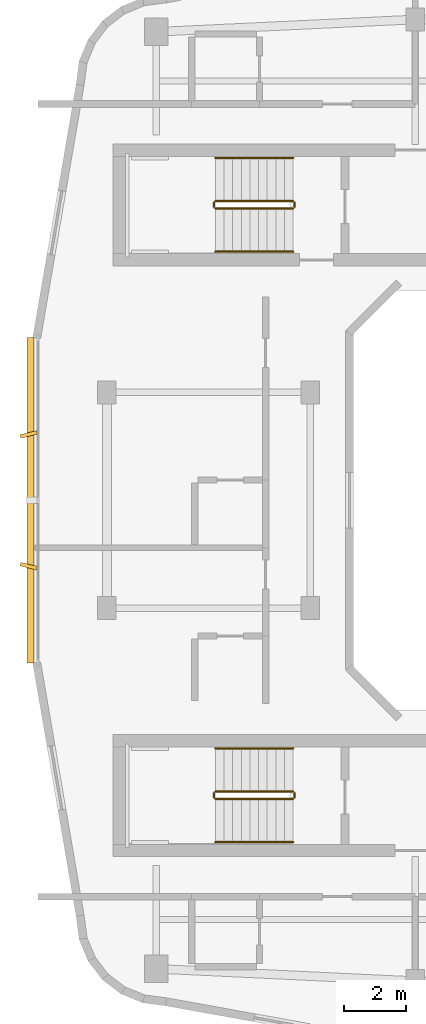
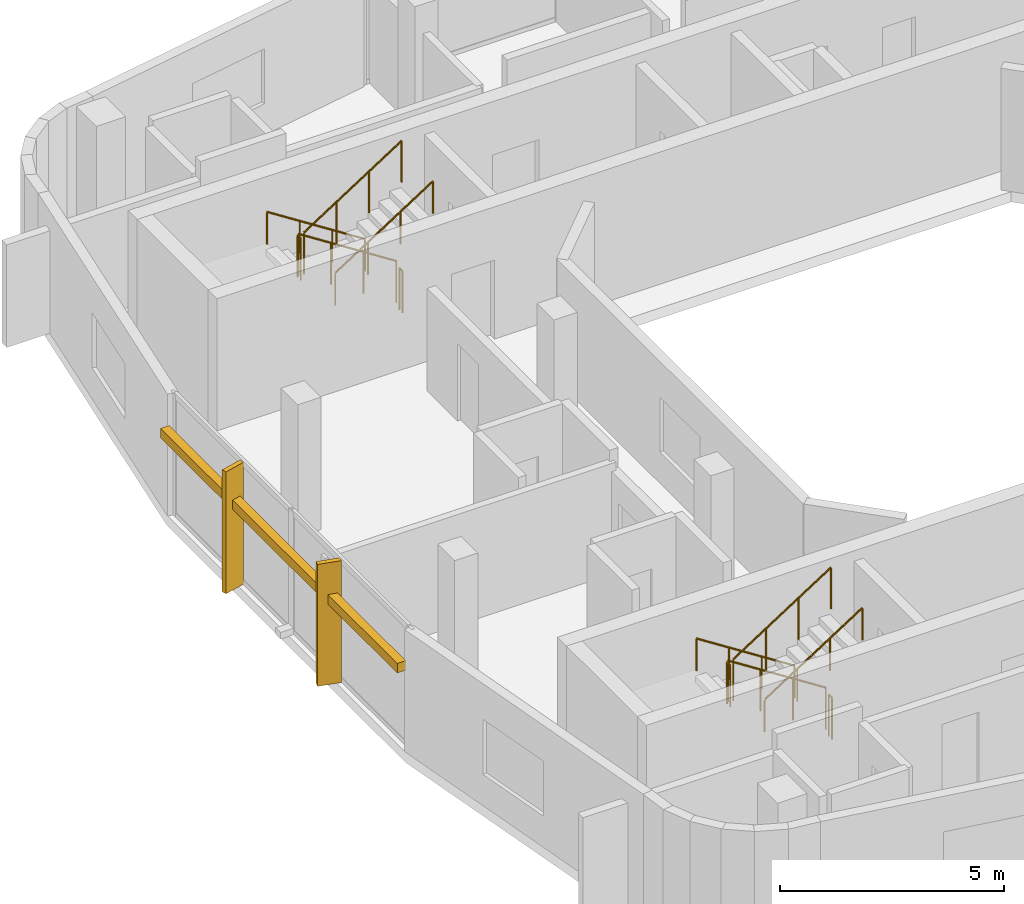
# One storey, part 7 of 8: 12 railings, 3 shading devices.
"""IFC4 building model written with IfcOpenShell, lengths in metres."""

from ifc_helpers import new_model, si_unit, derived_unit, direction, frame, origin, origin_2d, place, context, subcontext, project, spatial, rectangle, circle, extrude, material, type_object, element, save


model = new_model("IFC4")

# Units and contexts
model_context = context("Model", 3, precision=1e-05, world=origin(), true_north=direction((0.0, 1.0)))
body_context = subcontext(model_context, "Body", "Model", "MODEL_VIEW")
ifc_project = project(units=[si_unit("LENGTHUNIT", "METRE"), si_unit("AREAUNIT", "SQUARE_METRE"), si_unit("VOLUMEUNIT", "CUBIC_METRE"), si_unit("PLANEANGLEUNIT", "RADIAN"), si_unit("MASSUNIT", "GRAM", prefix="KILO"), derived_unit("THERMALTRANSMITTANCEUNIT", [(si_unit("POWERUNIT", "WATT"), 1), (si_unit("LENGTHUNIT", "METRE"), -2), (si_unit("THERMODYNAMICTEMPERATUREUNIT", "KELVIN"), -1)])], contexts=[model_context])

# Site, building, storey
site_placement = place(None, origin())
site = spatial("IfcSite", under=ifc_project, at=site_placement, CompositionType="ELEMENT")
building_placement = place(site_placement, origin())
building = spatial("IfcBuilding", under=site, at=building_placement, Name="Kivonza Crest Hotel", CompositionType="ELEMENT")
storey_placement = place(building_placement, frame((0.0, 0.0, 257.60009765625)))
storey = spatial("IfcBuildingStorey", under=building, at=storey_placement, Name="L70", CompositionType="ELEMENT", Elevation=257.60009765625)

# Railings
ifc_material_1 = material(Name="Brushed stainless steel handrail", Category="steel")
railing_type_1 = type_object("IfcRailingType", Name="RL-HAND-900", PredefinedType="HANDRAIL", material=ifc_material_1)
railing_1_placement = place(storey_placement, frame((12.239990234375, 36.110107421875, 0.179931640625)))
element("IfcRailing", 1, at=railing_1_placement, inside=storey, type_object=railing_type_1, Name="L70 ST-T1-N stair handrail 1", PredefinedType="HANDRAIL", context=body_context, shape_type="SweptSolid", body=[
    extrude(circle(Radius=0.02392578125, at=origin_2d()), frame((0.0, 0.0, 0.8759765625), z_axis=(-0.841199657755, 0.0, 0.540724639528), x_axis=(0.0, -1.0, 0.0)), (0.0, 0.0, 1.0), 2.995849609375),
    extrude(circle(Radius=0.02099609375, at=origin_2d()), origin(), (0.0, 0.0, 1.0), 0.851806640625),
    extrude(circle(Radius=0.02099609375, at=origin_2d()), frame((-0.840087890625, 0.0, 0.5400390625)), (0.0, 0.0, 1.0), 0.851806640625),
    extrude(circle(Radius=0.02099609375, at=origin_2d()), frame((-1.679931640625, 0.0, 1.079833984375)), (0.0, 0.0, 1.0), 0.851806640625),
    extrude(circle(Radius=0.02099609375, at=origin_2d()), frame((-2.52001953125, 0.0, 1.619873046875)), (0.0, 0.0, 1.0), 0.851806640625),
])
railing_2_placement = place(storey_placement, frame((9.719970703125, 33.070068359375, 1.97998046875)))
element("IfcRailing", 2, at=railing_2_placement, inside=storey, type_object=railing_type_1, Name="L70 ST-T1-N stair handrail 2", PredefinedType="HANDRAIL", context=body_context, shape_type="SweptSolid", body=[
    extrude(circle(Radius=0.02392578125, at=origin_2d()), frame((0.0, 0.0, 0.8759765625), z_axis=(0.841199657755, 0.0, 0.540724639528), x_axis=(0.0, 1.0, 0.0)), (0.0, 0.0, 1.0), 2.995849609375),
    extrude(circle(Radius=0.02099609375, at=origin_2d()), origin(), (0.0, 0.0, 1.0), 0.851806640625),
    extrude(circle(Radius=0.02099609375, at=origin_2d()), frame((0.840087890625, 0.0, 0.5400390625)), (0.0, 0.0, 1.0), 0.851806640625),
    extrude(circle(Radius=0.02099609375, at=origin_2d()), frame((1.679931640625, 0.0, 1.079833984375)), (0.0, 0.0, 1.0), 0.851806640625),
    extrude(circle(Radius=0.02099609375, at=origin_2d()), frame((2.52001953125, 0.0, 1.619873046875)), (0.0, 0.0, 1.0), 0.851806640625),
])
railing_3_placement = place(storey_placement, frame((12.239990234375, 16.949951171875, 0.179931640625)))
element("IfcRailing", 3, at=railing_3_placement, inside=storey, type_object=railing_type_1, Name="L70 ST-T1-S stair handrail 1", PredefinedType="HANDRAIL", context=body_context, shape_type="SweptSolid", body=[
    extrude(circle(Radius=0.02392578125, at=origin_2d()), frame((0.0, 0.0, 0.8759765625), z_axis=(-0.841199657755, 0.0, 0.540724639528), x_axis=(0.0, -1.0, 0.0)), (0.0, 0.0, 1.0), 2.995849609375),
    extrude(circle(Radius=0.02099609375, at=origin_2d()), origin(), (0.0, 0.0, 1.0), 0.851806640625),
    extrude(circle(Radius=0.02099609375, at=origin_2d()), frame((-0.840087890625, 0.0, 0.5400390625)), (0.0, 0.0, 1.0), 0.851806640625),
    extrude(circle(Radius=0.02099609375, at=origin_2d()), frame((-1.679931640625, 0.0, 1.079833984375)), (0.0, 0.0, 1.0), 0.851806640625),
    extrude(circle(Radius=0.02099609375, at=origin_2d()), frame((-2.52001953125, 0.0, 1.619873046875)), (0.0, 0.0, 1.0), 0.851806640625),
])
railing_4_placement = place(storey_placement, frame((9.719970703125, 13.909912109375, 1.97998046875)))
element("IfcRailing", 4, at=railing_4_placement, inside=storey, type_object=railing_type_1, Name="L70 ST-T1-S stair handrail 2", PredefinedType="HANDRAIL", context=body_context, shape_type="SweptSolid", body=[
    extrude(circle(Radius=0.02392578125, at=origin_2d()), frame((0.0, 0.0, 0.8759765625), z_axis=(0.841199657755, 0.0, 0.540724639528), x_axis=(0.0, 1.0, 0.0)), (0.0, 0.0, 1.0), 2.995849609375),
    extrude(circle(Radius=0.02099609375, at=origin_2d()), origin(), (0.0, 0.0, 1.0), 0.851806640625),
    extrude(circle(Radius=0.02099609375, at=origin_2d()), frame((0.840087890625, 0.0, 0.5400390625)), (0.0, 0.0, 1.0), 0.851806640625),
    extrude(circle(Radius=0.02099609375, at=origin_2d()), frame((1.679931640625, 0.0, 1.079833984375)), (0.0, 0.0, 1.0), 0.851806640625),
    extrude(circle(Radius=0.02099609375, at=origin_2d()), frame((2.52001953125, 0.0, 1.619873046875)), (0.0, 0.0, 1.0), 0.851806640625),
])
ifc_material_2 = material(Name="Painted steel balustrade", Category="steel")
railing_type_2 = type_object("IfcRailingType", Name="RL-STAIR-1150", PredefinedType="BALUSTRADE", material=ifc_material_2)
railing_5_placement = place(storey_placement, frame((12.239990234375, 34.7099609375, 0.179931640625)))
element("IfcRailing", 5, at=railing_5_placement, inside=storey, type_object=railing_type_2, Name="L70 ST-T1-N stair guard 1", PredefinedType="BALUSTRADE", context=body_context, shape_type="SweptSolid", body=[
    extrude(circle(Radius=0.02392578125, at=origin_2d()), frame((0.0, 0.0, 1.1259765625), z_axis=(-0.841199657755, 0.0, 0.540724639528), x_axis=(0.0, -1.0, 0.0)), (0.0, 0.0, 1.0), 2.995849609375),
    extrude(circle(Radius=0.02099609375, at=origin_2d()), origin(), (0.0, 0.0, 1.0), 1.101806640625),
    extrude(circle(Radius=0.02099609375, at=origin_2d()), frame((-0.840087890625, 0.0, 0.5400390625)), (0.0, 0.0, 1.0), 1.101806640625),
    extrude(circle(Radius=0.02099609375, at=origin_2d()), frame((-1.679931640625, 0.0, 1.079833984375)), (0.0, 0.0, 1.0), 1.101806640625),
    extrude(circle(Radius=0.02099609375, at=origin_2d()), frame((-2.52001953125, 0.0, 1.619873046875)), (0.0, 0.0, 1.0), 1.101806640625),
])
railing_6_placement = place(storey_placement, frame((9.669921875, 34.659912109375, 1.7998046875)))
element("IfcRailing", 6, at=railing_6_placement, inside=storey, type_object=railing_type_2, Name="L70 ST-T1-N stair guard 2", PredefinedType="BALUSTRADE", context=body_context, shape_type="SweptSolid", body=[
    extrude(circle(Radius=0.02392578125, at=origin_2d()), frame((0.0, 0.0, 1.1259765625), z_axis=(0.0, -1.0, 0.0), x_axis=(1.0, 0.0, 0.0)), (0.0, 0.0, 1.0), 0.139892578125),
    extrude(circle(Radius=0.02099609375, at=origin_2d()), origin(), (0.0, 0.0, 1.0), 1.101806640625),
    extrude(circle(Radius=0.02099609375, at=origin_2d()), frame((0.0, -0.139892578125, 0.0)), (0.0, 0.0, 1.0), 1.101806640625),
])
railing_7_placement = place(storey_placement, frame((9.719970703125, 34.469970703125, 1.97998046875)))
element("IfcRailing", 7, at=railing_7_placement, inside=storey, type_object=railing_type_2, Name="L70 ST-T1-N stair guard 3", PredefinedType="BALUSTRADE", context=body_context, shape_type="SweptSolid", body=[
    extrude(circle(Radius=0.02392578125, at=origin_2d()), frame((0.0, 0.0, 1.1259765625), z_axis=(0.841199657755, 0.0, 0.540724639528), x_axis=(0.0, 1.0, 0.0)), (0.0, 0.0, 1.0), 2.995849609375),
    extrude(circle(Radius=0.02099609375, at=origin_2d()), origin(), (0.0, 0.0, 1.0), 1.101806640625),
    extrude(circle(Radius=0.02099609375, at=origin_2d()), frame((0.840087890625, 0.0, 0.5400390625)), (0.0, 0.0, 1.0), 1.101806640625),
    extrude(circle(Radius=0.02099609375, at=origin_2d()), frame((1.679931640625, 0.0, 1.079833984375)), (0.0, 0.0, 1.0), 1.101806640625),
    extrude(circle(Radius=0.02099609375, at=origin_2d()), frame((2.52001953125, 0.0, 1.619873046875)), (0.0, 0.0, 1.0), 1.101806640625),
])
railing_8_placement = place(storey_placement, frame((12.2900390625, 34.659912109375, 0.0)))
element("IfcRailing", 8, at=railing_8_placement, inside=storey, type_object=railing_type_2, Name="L70 ST-T1-N stair guard 4", PredefinedType="BALUSTRADE", context=body_context, shape_type="SweptSolid", body=[
    extrude(circle(Radius=0.02392578125, at=origin_2d()), frame((0.0, 0.0, 1.1259765625), z_axis=(0.0, -1.0, 0.0), x_axis=(1.0, 0.0, 0.0)), (0.0, 0.0, 1.0), 0.139892578125),
    extrude(circle(Radius=0.02099609375, at=origin_2d()), origin(), (0.0, 0.0, 1.0), 1.101806640625),
    extrude(circle(Radius=0.02099609375, at=origin_2d()), frame((0.0, -0.139892578125, 0.0)), (0.0, 0.0, 1.0), 1.101806640625),
])
railing_9_placement = place(storey_placement, frame((12.239990234375, 15.550048828125, 0.179931640625)))
element("IfcRailing", 9, at=railing_9_placement, inside=storey, type_object=railing_type_2, Name="L70 ST-T1-S stair guard 1", PredefinedType="BALUSTRADE", context=body_context, shape_type="SweptSolid", body=[
    extrude(circle(Radius=0.02392578125, at=origin_2d()), frame((0.0, 0.0, 1.1259765625), z_axis=(-0.841199657755, 0.0, 0.540724639528), x_axis=(0.0, -1.0, 0.0)), (0.0, 0.0, 1.0), 2.995849609375),
    extrude(circle(Radius=0.02099609375, at=origin_2d()), origin(), (0.0, 0.0, 1.0), 1.101806640625),
    extrude(circle(Radius=0.02099609375, at=origin_2d()), frame((-0.840087890625, 0.0, 0.5400390625)), (0.0, 0.0, 1.0), 1.101806640625),
    extrude(circle(Radius=0.02099609375, at=origin_2d()), frame((-1.679931640625, 0.0, 1.079833984375)), (0.0, 0.0, 1.0), 1.101806640625),
    extrude(circle(Radius=0.02099609375, at=origin_2d()), frame((-2.52001953125, 0.0, 1.619873046875)), (0.0, 0.0, 1.0), 1.101806640625),
])
railing_10_placement = place(storey_placement, frame((9.669921875, 15.5, 1.7998046875)))
element("IfcRailing", 10, at=railing_10_placement, inside=storey, type_object=railing_type_2, Name="L70 ST-T1-S stair guard 2", PredefinedType="BALUSTRADE", context=body_context, shape_type="SweptSolid", body=[
    extrude(circle(Radius=0.02392578125, at=origin_2d()), frame((0.0, 0.0, 1.1259765625), z_axis=(0.0, -1.0, 0.0), x_axis=(1.0, 0.0, 0.0)), (0.0, 0.0, 1.0), 0.139892578125),
    extrude(circle(Radius=0.02099609375, at=origin_2d()), origin(), (0.0, 0.0, 1.0), 1.101806640625),
    extrude(circle(Radius=0.02099609375, at=origin_2d()), frame((0.0, -0.139892578125, 0.0)), (0.0, 0.0, 1.0), 1.101806640625),
])
railing_11_placement = place(storey_placement, frame((9.719970703125, 15.31005859375, 1.97998046875)))
element("IfcRailing", 11, at=railing_11_placement, inside=storey, type_object=railing_type_2, Name="L70 ST-T1-S stair guard 3", PredefinedType="BALUSTRADE", context=body_context, shape_type="SweptSolid", body=[
    extrude(circle(Radius=0.02392578125, at=origin_2d()), frame((0.0, 0.0, 1.1259765625), z_axis=(0.841199657755, 0.0, 0.540724639528), x_axis=(0.0, 1.0, 0.0)), (0.0, 0.0, 1.0), 2.995849609375),
    extrude(circle(Radius=0.02099609375, at=origin_2d()), origin(), (0.0, 0.0, 1.0), 1.101806640625),
    extrude(circle(Radius=0.02099609375, at=origin_2d()), frame((0.840087890625, 0.0, 0.5400390625)), (0.0, 0.0, 1.0), 1.101806640625),
    extrude(circle(Radius=0.02099609375, at=origin_2d()), frame((1.679931640625, 0.0, 1.079833984375)), (0.0, 0.0, 1.0), 1.101806640625),
    extrude(circle(Radius=0.02099609375, at=origin_2d()), frame((2.52001953125, 0.0, 1.619873046875)), (0.0, 0.0, 1.0), 1.101806640625),
])
railing_12_placement = place(storey_placement, frame((12.2900390625, 15.5, 0.0)))
element("IfcRailing", 12, at=railing_12_placement, inside=storey, type_object=railing_type_2, Name="L70 ST-T1-S stair guard 4", PredefinedType="BALUSTRADE", context=body_context, shape_type="SweptSolid", body=[
    extrude(circle(Radius=0.02392578125, at=origin_2d()), frame((0.0, 0.0, 1.1259765625), z_axis=(0.0, -1.0, 0.0), x_axis=(1.0, 0.0, 0.0)), (0.0, 0.0, 1.0), 0.139892578125),
    extrude(circle(Radius=0.02099609375, at=origin_2d()), origin(), (0.0, 0.0, 1.0), 1.101806640625),
    extrude(circle(Radius=0.02099609375, at=origin_2d()), frame((0.0, -0.139892578125, 0.0)), (0.0, 0.0, 1.0), 1.101806640625),
])

# Shading devices
ifc_material_3 = material(Name="Kiln-fired Nairobi red-ochre terracotta", Category="masonry")
shading_device_type_1 = type_object("IfcShadingDeviceType", Name="SH-BAGUETTE-300", PredefinedType="USERDEFINED", material=ifc_material_3)
shading_device_placement = place(storey_placement, frame((3.719970703125, 25.0, 2.19384765625), z_axis=(0.0, 0.0, 1.0), x_axis=(0.0, -1.0, 0.0)))
element("IfcShadingDevice", 13, at=shading_device_placement, inside=storey, type_object=shading_device_type_1, Name="L70 terracotta baguette screen CW-T1-L70-35", ObjectType="BAGUETTE", PredefinedType="USERDEFINED", context=body_context, shape_type="SweptSolid", body=[
    extrude(rectangle(XDim=10.56005859375, YDim=0.219970703125, at=origin_2d()), origin(), (0.0, 0.0, 1.0), 0.260009765625),
])
ifc_material_4 = material(Name="Kiln-fired terracotta over extruded aluminium spine", Category="masonry")
shading_device_type_2 = type_object("IfcShadingDeviceType", Name="SH-FIN-550", PredefinedType="USERDEFINED", material=ifc_material_4)
for number, where, z_axis, x_axis, name in (
    (14, (3.659912109375, 27.135986328125, 0.0), (0.0, 0.0, 1.0), (0.2419218956, -0.970295726276, 0.0), "L70 vertical solar shading fin CW-T1-L70-35-1"),
    (15, (3.659912109375, 22.864013671875, 0.0), (0.0, 0.0, 1.0), (-0.2419218956, -0.970295726276, 0.0), "L70 vertical solar shading fin CW-T1-L70-35-2"),
):
    element("IfcShadingDevice", number, at=place(storey_placement, frame(where, z_axis=z_axis, x_axis=x_axis)), inside=storey, type_object=shading_device_type_2, Name=name, ObjectType="FIN", PredefinedType="USERDEFINED", context=body_context, shape_type="SweptSolid", body=[
        extrude(rectangle(XDim=0.1201171875, YDim=0.550048828125, at=origin_2d()), origin(), (0.0, 0.0, 1.0), 3.320068359375),
    ])

save(model, "model.ifc")
